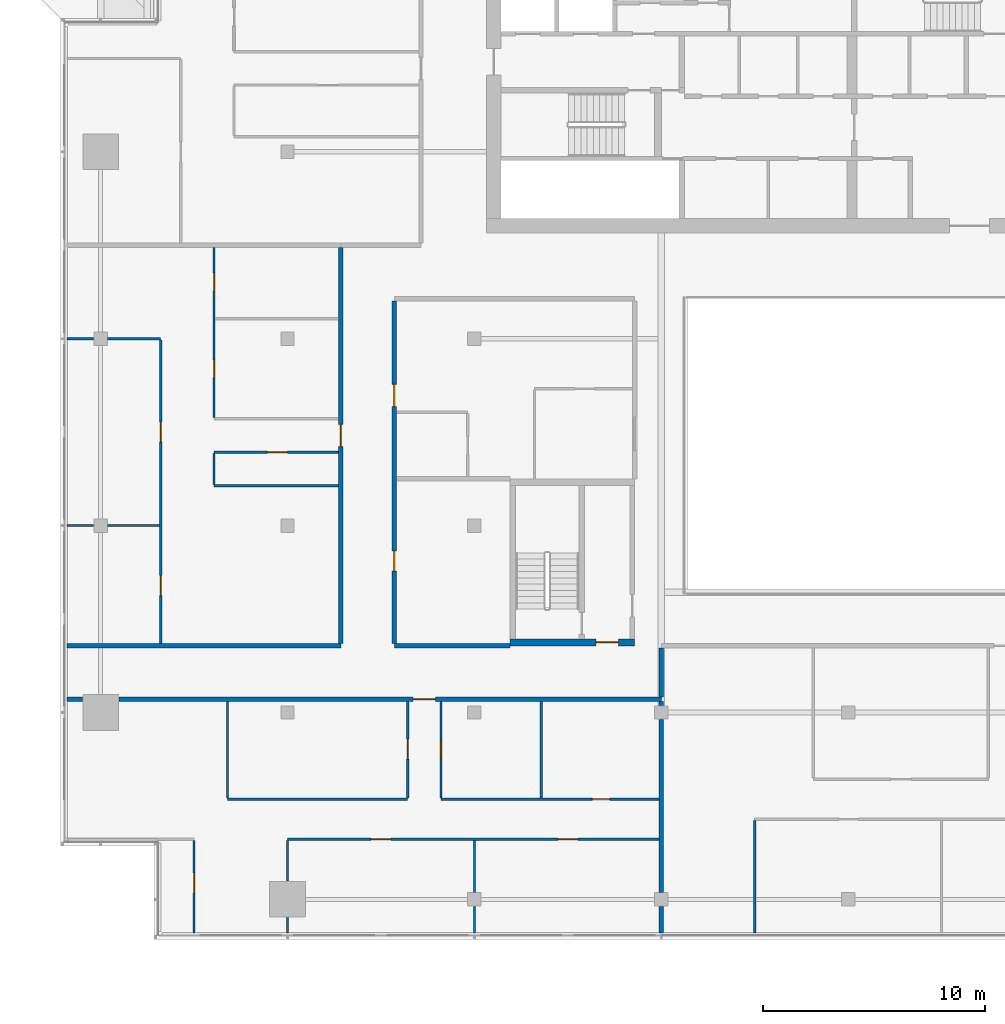
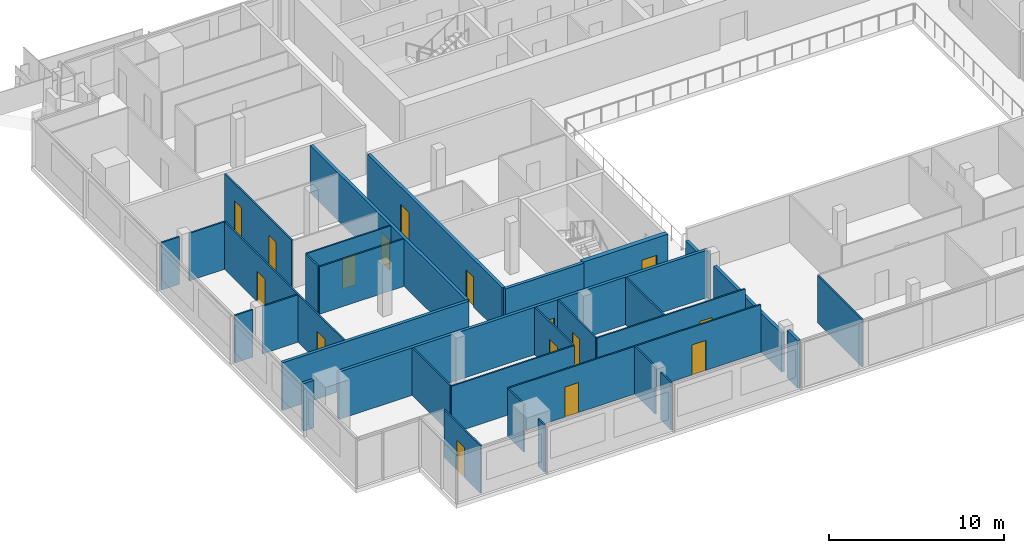
# One storey, part 18 of 30: 33 walls, 16 doors, 16 openings.
"""IFC4 building model written with IfcOpenShell, lengths in metres."""

from ifc_helpers import new_model, si_unit, direction, frame, frame_2d, origin, place, context, subcontext, project, spatial, rectangle, extrude, material, layer, layer_set, type_object, element, fill, save


model = new_model("IFC4")

# Units and contexts
model_context = context("Model", 3, precision=1e-05, world=origin(), true_north=direction((0.0, 1.0)))
body_context = subcontext(model_context, "Body", "Model", "MODEL_VIEW")
ifc_project = project(units=[si_unit("LENGTHUNIT", "METRE"), si_unit("AREAUNIT", "SQUARE_METRE"), si_unit("VOLUMEUNIT", "CUBIC_METRE"), si_unit("PLANEANGLEUNIT", "RADIAN"), si_unit("MASSUNIT", "GRAM", prefix="KILO")], contexts=[model_context])

# Site, building, storey
site_placement = place(None, origin())
site = spatial("IfcSite", under=ifc_project, at=site_placement, CompositionType="ELEMENT")
building_placement = place(site_placement, origin())
building = spatial("IfcBuilding", under=site, at=building_placement, Name="Saffron Gate Tower", CompositionType="ELEMENT")
storey_placement = place(building_placement, frame((0.0, 0.0, 237.89990234375)))
storey = spatial("IfcBuildingStorey", under=building, at=storey_placement, Name="L58", CompositionType="ELEMENT", Elevation=237.89990234375)

# Wall, opening, door
ifc_material_1 = material(Name="Concrete C60", Category="concrete")
ifc_layer_1 = layer(ifc_material_1, 0.300048828125)
ifc_layer_set_1 = layer_set([ifc_layer_1], Name="CW17 RC core wall 300 C60")
wall_type_1 = type_object("IfcWallType", Name="CW17 RC core wall 300 C60", PredefinedType="SOLIDWALL", material=ifc_layer_set_1)
wall_1_placement = place(storey_placement, frame((68.199951171875, 43.35009765625, 0.0), z_axis=(0.0, 0.0, 1.0), x_axis=(1.0, 0.0, 0.0)))
wall_1 = element("IfcWall", 1, at=wall_1_placement, inside=storey, type_object=wall_type_1, Name="Wall CW17-L58-D-1", PredefinedType="SOLIDWALL", context=body_context, shape_type="SweptSolid", body=[
    extrude(rectangle(XDim=5.60009765625, YDim=0.300048828125, at=frame_2d((2.800048828125, 0.0))), origin(), (0.0, 0.0, 1.0), 3.320068359375),
])
opening_1_placement = place(wall_1_placement, frame((3.875, 0.0, 0.0)))
opening_1 = element("IfcOpeningElement", 2, at=opening_1_placement, cuts=wall_1, Name="Opening CR-18", PredefinedType="OPENING", context=body_context, shape_type="SweptSolid", body=[
    extrude(rectangle(XDim=1.0, YDim=2.10009765625, at=frame_2d((0.5, 1.050048828125))), frame((0.0, 0.16015625, 0.0), z_axis=(0.0, -1.0, 0.0), x_axis=(1.0, 0.0, 0.0)), (0.0, 0.0, 1.0), 0.320068359375),
])
ifc_material_2 = material(Name="Steel fire door set", Category="steel")
door_type_1 = type_object("IfcDoorType", Name="CD4 Lobby door 1000x2100 EI 120", OperationType="NOTDEFINED", PredefinedType="DOOR", material=ifc_material_2)
door_1_placement = place(opening_1_placement, origin())
door_1 = element("IfcDoor", 3, at=door_1_placement, inside=storey, type_object=door_type_1, Name="DOOR CR-18", OperationType="SINGLE_SWING_RIGHT", OverallHeight=2.10009765625, OverallWidth=1.0, PredefinedType="DOOR", context=body_context, shape_type="SweptSolid", body=[
    extrude(rectangle(XDim=1.0, YDim=2.10009765625, at=frame_2d((0.5, 1.050048828125))), frame((0.0, 0.02490234375, 0.0), z_axis=(0.0, -1.0, 0.0), x_axis=(1.0, 0.0, 0.0)), (0.0, 0.0, 1.0), 0.050048828125),
])
fill(opening_1, door_1)

# Wall, openings, doors
ifc_material_3 = material(Name="Plasterboard on steel studs", Category="steel")
ifc_layer_2 = layer(ifc_material_3, 0.10009765625)
ifc_layer_set_2 = layer_set([ifc_layer_2], Name="PW1 Partition 100")
wall_type_2 = type_object("IfcWallType", Name="PW1 Partition 100", PredefinedType="PARTITIONING", material=ifc_layer_set_2)
wall_2_placement = place(storey_placement, frame((74.89990234375, 34.5, 0.0), z_axis=(0.0, 0.0, 1.0), x_axis=(-1.0, 0.0, 0.0)))
wall_2 = element("IfcWall", 4, at=wall_2_placement, inside=storey, type_object=wall_type_2, Name="Partition D4-2", PredefinedType="PARTITIONING", context=body_context, shape_type="SweptSolid", body=[
    extrude(rectangle(XDim=16.699951171875, YDim=0.10009765625, at=frame_2d((8.35009765625, 0.0))), origin(), (0.0, 0.0, 1.0), 3.320068359375),
])
opening_2_placement = place(wall_2_placement, frame((3.64990234375, 0.0, 0.0)))
opening_2 = element("IfcOpeningElement", 5, at=opening_2_placement, cuts=wall_2, Name="Opening D4-12", PredefinedType="OPENING", context=body_context, shape_type="SweptSolid", body=[
    extrude(rectangle(XDim=0.89990234375, YDim=2.10009765625, at=frame_2d((0.449951171875, 1.050048828125))), frame((0.0, 0.06005859375, 0.0), z_axis=(0.0, -1.0, 0.0), x_axis=(1.0, 0.0, 0.0)), (0.0, 0.0, 1.0), 0.1201171875),
])
opening_3_placement = place(wall_2_placement, frame((12.050048828125, 0.0, 0.0)))
opening_3 = element("IfcOpeningElement", 6, at=opening_3_placement, cuts=wall_2, Name="Opening D4-11", PredefinedType="OPENING", context=body_context, shape_type="SweptSolid", body=[
    extrude(rectangle(XDim=0.89990234375, YDim=2.10009765625, at=frame_2d((0.449951171875, 1.050048828125))), frame((0.0, 0.06005859375, 0.0), z_axis=(0.0, -1.0, 0.0), x_axis=(1.0, 0.0, 0.0)), (0.0, 0.0, 1.0), 0.1201171875),
])
ifc_material_4 = material(Name="Timber door set", Category="wood")
door_type_2 = type_object("IfcDoorType", Name="RD1 Room door 900x2100", OperationType="NOTDEFINED", PredefinedType="DOOR", material=ifc_material_4)
door_2_placement = place(opening_2_placement, origin())
door_2 = element("IfcDoor", 7, at=door_2_placement, inside=storey, type_object=door_type_2, Name="Door D4-12", OperationType="SINGLE_SWING_LEFT", OverallHeight=2.10009765625, OverallWidth=0.89990234375, PredefinedType="DOOR", context=body_context, shape_type="SweptSolid", body=[
    extrude(rectangle(XDim=0.89990234375, YDim=2.10009765625, at=frame_2d((0.449951171875, 1.050048828125))), frame((0.0, 0.02490234375, 0.0), z_axis=(0.0, -1.0, 0.0), x_axis=(1.0, 0.0, 0.0)), (0.0, 0.0, 1.0), 0.050048828125),
])
fill(opening_2, door_2)
door_3_placement = place(opening_3_placement, origin())
door_3 = element("IfcDoor", 8, at=door_3_placement, inside=storey, type_object=door_type_2, Name="Door D4-11", OperationType="SINGLE_SWING_RIGHT", OverallHeight=2.10009765625, OverallWidth=0.89990234375, PredefinedType="DOOR", context=body_context, shape_type="SweptSolid", body=[
    extrude(rectangle(XDim=0.89990234375, YDim=2.10009765625, at=frame_2d((0.449951171875, 1.050048828125))), frame((0.0, 0.02490234375, 0.0), z_axis=(0.0, -1.0, 0.0), x_axis=(1.0, 0.0, 0.0)), (0.0, 0.0, 1.0), 0.050048828125),
])
fill(opening_3, door_3)

# Wall
wall_3_placement = place(storey_placement, frame((55.5, 36.300048828125, 0.0), z_axis=(0.0, 0.0, 1.0), x_axis=(1.0, 0.0, 0.0)))
element("IfcWall", 9, at=wall_3_placement, inside=storey, type_object=wall_type_2, Name="Partition D4-4", PredefinedType="PARTITIONING", context=body_context, shape_type="SweptSolid", body=[
    extrude(rectangle(XDim=8.10009765625, YDim=0.10009765625, at=frame_2d((4.050048828125, 0.0))), origin(), (0.0, 0.0, 1.0), 3.320068359375),
])

# Wall, opening, door
wall_4_placement = place(storey_placement, frame((65.10009765625, 36.300048828125, 0.0), z_axis=(0.0, 0.0, 1.0), x_axis=(1.0, 0.0, 0.0)))
wall_4 = element("IfcWall", 10, at=wall_4_placement, inside=storey, type_object=wall_type_2, Name="Partition D4-5", PredefinedType="PARTITIONING", context=body_context, shape_type="SweptSolid", body=[
    extrude(rectangle(XDim=9.7998046875, YDim=0.10009765625, at=frame_2d((4.89990234375, 0.0))), origin(), (0.0, 0.0, 1.0), 3.320068359375),
])
opening_4_placement = place(wall_4_placement, frame((6.800048828125, 0.0, 0.0)))
opening_4 = element("IfcOpeningElement", 11, at=opening_4_placement, cuts=wall_4, Name="Opening D4-38", PredefinedType="OPENING", context=body_context, shape_type="SweptSolid", body=[
    extrude(rectangle(XDim=0.800048828125, YDim=2.10009765625, at=frame_2d((0.39990234375, 1.050048828125))), frame((0.0, 0.06005859375, 0.0), z_axis=(0.0, -1.0, 0.0), x_axis=(1.0, 0.0, 0.0)), (0.0, 0.0, 1.0), 0.1201171875),
])
door_type_3 = type_object("IfcDoorType", Name="RD2 Bathroom door 800x2100", OperationType="NOTDEFINED", PredefinedType="DOOR", material=ifc_material_4)
door_4_placement = place(opening_4_placement, origin())
door_4 = element("IfcDoor", 12, at=door_4_placement, inside=storey, type_object=door_type_3, Name="Door D4-38", OperationType="SINGLE_SWING_RIGHT", OverallHeight=2.10009765625, OverallWidth=0.800048828125, PredefinedType="DOOR", context=body_context, shape_type="SweptSolid", body=[
    extrude(rectangle(XDim=0.800048828125, YDim=2.10009765625, at=frame_2d((0.39990234375, 1.050048828125))), frame((0.0, 0.02490234375, 0.0), z_axis=(0.0, -1.0, 0.0), x_axis=(1.0, 0.0, 0.0)), (0.0, 0.0, 1.0), 0.050048828125),
])
fill(opening_4, door_4)

# Walls
wall_5_placement = place(storey_placement, frame((48.280029296875, 48.60009765625, 0.0), z_axis=(0.0, 0.0, 1.0), x_axis=(1.0, 0.0, 0.0)))
element("IfcWall", 13, at=wall_5_placement, inside=storey, type_object=wall_type_2, Name="Partition D4-24", PredefinedType="PARTITIONING", context=body_context, shape_type="SweptSolid", body=[
    extrude(rectangle(XDim=1.199951171875, YDim=0.10009765625, at=frame_2d((0.60009765625, 0.0))), origin(), (0.0, 0.0, 1.0), 3.320068359375),
])
wall_6_placement = place(storey_placement, frame((50.1201171875, 48.60009765625, 0.0), z_axis=(0.0, 0.0, 1.0), x_axis=(1.0, 0.0, 0.0)))
element("IfcWall", 14, at=wall_6_placement, inside=storey, type_object=wall_type_2, Name="Partition D4-25", PredefinedType="PARTITIONING", context=body_context, shape_type="SweptSolid", body=[
    extrude(rectangle(XDim=2.329833984375, YDim=0.10009765625, at=frame_2d((1.1650390625, 0.0))), origin(), (0.0, 0.0, 1.0), 3.320068359375),
])
wall_7_placement = place(storey_placement, frame((54.89990234375, 50.39306640625, 0.0), z_axis=(0.0, 0.0, 1.0), x_axis=(1.0, 0.0, 0.0)))
element("IfcWall", 15, at=wall_7_placement, inside=storey, type_object=wall_type_2, Name="Partition D4-28", PredefinedType="PARTITIONING", context=body_context, shape_type="SweptSolid", body=[
    extrude(rectangle(XDim=5.60009765625, YDim=0.10009765625, at=frame_2d((2.800048828125, 0.0))), origin(), (0.0, 0.0, 1.0), 3.320068359375),
])

# Wall, opening, door
wall_8_placement = place(storey_placement, frame((60.5, 51.89990234375, 0.0), z_axis=(0.0, 0.0, 1.0), x_axis=(-1.0, 0.0, 0.0)))
wall_8 = element("IfcWall", 16, at=wall_8_placement, inside=storey, type_object=wall_type_2, Name="Partition D4-31", PredefinedType="PARTITIONING", context=body_context, shape_type="SweptSolid", body=[
    extrude(rectangle(XDim=5.60009765625, YDim=0.10009765625, at=frame_2d((2.800048828125, 0.0))), origin(), (0.0, 0.0, 1.0), 3.320068359375),
])
opening_5_placement = place(wall_8_placement, frame((2.300048828125, 0.0, 0.0)))
opening_5 = element("IfcOpeningElement", 17, at=opening_5_placement, cuts=wall_8, Name="Opening D4-25", PredefinedType="OPENING", context=body_context, shape_type="SweptSolid", body=[
    extrude(rectangle(XDim=0.89990234375, YDim=2.10009765625, at=frame_2d((0.449951171875, 1.050048828125))), frame((0.0, 0.06005859375, 0.0), z_axis=(0.0, -1.0, 0.0), x_axis=(1.0, 0.0, 0.0)), (0.0, 0.0, 1.0), 0.1201171875),
])
door_5_placement = place(opening_5_placement, origin())
door_5 = element("IfcDoor", 18, at=door_5_placement, inside=storey, type_object=door_type_2, Name="Door D4-25", OperationType="SINGLE_SWING_LEFT", OverallHeight=2.10009765625, OverallWidth=0.89990234375, PredefinedType="DOOR", context=body_context, shape_type="SweptSolid", body=[
    extrude(rectangle(XDim=0.89990234375, YDim=2.10009765625, at=frame_2d((0.449951171875, 1.050048828125))), frame((0.0, 0.02490234375, 0.0), z_axis=(0.0, -1.0, 0.0), x_axis=(1.0, 0.0, 0.0)), (0.0, 0.0, 1.0), 0.050048828125),
])
fill(opening_5, door_5)

# Walls
wall_9_placement = place(storey_placement, frame((48.280029296875, 57.0, 0.0), z_axis=(0.0, 0.0, 1.0), x_axis=(1.0, 0.0, 0.0)))
element("IfcWall", 19, at=wall_9_placement, inside=storey, type_object=wall_type_2, Name="Partition D4-38", PredefinedType="PARTITIONING", context=body_context, shape_type="SweptSolid", body=[
    extrude(rectangle(XDim=1.199951171875, YDim=0.10009765625, at=frame_2d((0.60009765625, 0.0))), origin(), (0.0, 0.0, 1.0), 3.320068359375),
])
wall_10_placement = place(storey_placement, frame((50.1201171875, 57.0, 0.0), z_axis=(0.0, 0.0, 1.0), x_axis=(1.0, 0.0, 0.0)))
element("IfcWall", 20, at=wall_10_placement, inside=storey, type_object=wall_type_2, Name="Partition D4-39", PredefinedType="PARTITIONING", context=body_context, shape_type="SweptSolid", body=[
    extrude(rectangle(XDim=2.3798828125, YDim=0.10009765625, at=frame_2d((1.18994140625, 0.0))), origin(), (0.0, 0.0, 1.0), 3.320068359375),
])

# Wall, openings, doors
wall_11_placement = place(storey_placement, frame((52.5, 43.300048828125, 0.0), z_axis=(0.0, 0.0, 1.0), x_axis=(0.0, 1.0, 0.0)))
wall_11 = element("IfcWall", 21, at=wall_11_placement, inside=storey, type_object=wall_type_2, Name="Partition D4-59", PredefinedType="PARTITIONING", context=body_context, shape_type="SweptSolid", body=[
    extrude(rectangle(XDim=13.64990234375, YDim=0.10009765625, at=frame_2d((6.824951171875, 0.0))), origin(), (0.0, 0.0, 1.0), 3.320068359375),
])
opening_6_placement = place(wall_11_placement, frame((2.14990234375, 0.0, 0.0)))
opening_6 = element("IfcOpeningElement", 22, at=opening_6_placement, cuts=wall_11, Name="Opening D4-23", PredefinedType="OPENING", context=body_context, shape_type="SweptSolid", body=[
    extrude(rectangle(XDim=0.89990234375, YDim=2.10009765625, at=frame_2d((0.449951171875, 1.050048828125))), frame((0.0, 0.06005859375, 0.0), z_axis=(0.0, -1.0, 0.0), x_axis=(1.0, 0.0, 0.0)), (0.0, 0.0, 1.0), 0.1201171875),
])
opening_7_placement = place(wall_11_placement, frame((9.050048828125, 0.0, 0.0)))
opening_7 = element("IfcOpeningElement", 23, at=opening_7_placement, cuts=wall_11, Name="Opening D4-24", PredefinedType="OPENING", context=body_context, shape_type="SweptSolid", body=[
    extrude(rectangle(XDim=0.89990234375, YDim=2.10009765625, at=frame_2d((0.449951171875, 1.050048828125))), frame((0.0, 0.06005859375, 0.0), z_axis=(0.0, -1.0, 0.0), x_axis=(1.0, 0.0, 0.0)), (0.0, 0.0, 1.0), 0.1201171875),
])
door_6_placement = place(opening_6_placement, origin())
door_6 = element("IfcDoor", 24, at=door_6_placement, inside=storey, type_object=door_type_2, Name="Door D4-23", OperationType="SINGLE_SWING_LEFT", OverallHeight=2.10009765625, OverallWidth=0.89990234375, PredefinedType="DOOR", context=body_context, shape_type="SweptSolid", body=[
    extrude(rectangle(XDim=0.89990234375, YDim=2.10009765625, at=frame_2d((0.449951171875, 1.050048828125))), frame((0.0, 0.02490234375, 0.0), z_axis=(0.0, -1.0, 0.0), x_axis=(1.0, 0.0, 0.0)), (0.0, 0.0, 1.0), 0.050048828125),
])
fill(opening_6, door_6)
door_7_placement = place(opening_7_placement, origin())
door_7 = element("IfcDoor", 25, at=door_7_placement, inside=storey, type_object=door_type_2, Name="Door D4-24", OperationType="SINGLE_SWING_RIGHT", OverallHeight=2.10009765625, OverallWidth=0.89990234375, PredefinedType="DOOR", context=body_context, shape_type="SweptSolid", body=[
    extrude(rectangle(XDim=0.89990234375, YDim=2.10009765625, at=frame_2d((0.449951171875, 1.050048828125))), frame((0.0, 0.02490234375, 0.0), z_axis=(0.0, -1.0, 0.0), x_axis=(1.0, 0.0, 0.0)), (0.0, 0.0, 1.0), 0.050048828125),
])
fill(opening_7, door_7)

# Wall, opening, door
wall_12_placement = place(storey_placement, frame((54.0, 30.280029296875, 0.0), z_axis=(0.0, 0.0, 1.0), x_axis=(0.0, 1.0, 0.0)))
wall_12 = element("IfcWall", 26, at=wall_12_placement, inside=storey, type_object=wall_type_2, Name="Partition D4-61", PredefinedType="PARTITIONING", context=body_context, shape_type="SweptSolid", body=[
    extrude(rectangle(XDim=4.169921875, YDim=0.10009765625, at=frame_2d((2.0849609375, 0.0))), origin(), (0.0, 0.0, 1.0), 3.320068359375),
])
opening_8_placement = place(wall_12_placement, frame((1.802734375, 0.0, 0.0)))
opening_8 = element("IfcOpeningElement", 27, at=opening_8_placement, cuts=wall_12, Name="Opening D4-10", PredefinedType="OPENING", context=body_context, shape_type="SweptSolid", body=[
    extrude(rectangle(XDim=0.89990234375, YDim=2.10009765625, at=frame_2d((0.449951171875, 1.050048828125))), frame((0.0, 0.06005859375, 0.0), z_axis=(0.0, -1.0, 0.0), x_axis=(1.0, 0.0, 0.0)), (0.0, 0.0, 1.0), 0.1201171875),
])
door_8_placement = place(opening_8_placement, origin())
door_8 = element("IfcDoor", 28, at=door_8_placement, inside=storey, type_object=door_type_2, Name="Door D4-10", OperationType="SINGLE_SWING_RIGHT", OverallHeight=2.10009765625, OverallWidth=0.89990234375, PredefinedType="DOOR", context=body_context, shape_type="SweptSolid", body=[
    extrude(rectangle(XDim=0.89990234375, YDim=2.10009765625, at=frame_2d((0.449951171875, 1.050048828125))), frame((0.0, 0.02490234375, 0.0), z_axis=(0.0, -1.0, 0.0), x_axis=(1.0, 0.0, 0.0)), (0.0, 0.0, 1.0), 0.050048828125),
])
fill(opening_8, door_8)

# Wall
wall_13_placement = place(storey_placement, frame((54.89990234375, 51.85009765625, 0.0), z_axis=(0.0, 0.0, 1.0), x_axis=(0.0, -1.0, 0.0)))
element("IfcWall", 29, at=wall_13_placement, inside=storey, type_object=wall_type_2, Name="Partition D4-62", PredefinedType="PARTITIONING", context=body_context, shape_type="SweptSolid", body=[
    extrude(rectangle(XDim=1.406982421875, YDim=0.10009765625, at=frame_2d((0.70361328125, 0.0))), origin(), (0.0, 0.0, 1.0), 3.320068359375),
])

# Wall, openings, doors
wall_14_placement = place(storey_placement, frame((54.89990234375, 61.10009765625, 0.0), z_axis=(0.0, 0.0, 1.0), x_axis=(0.0, -1.0, 0.0)))
wall_14 = element("IfcWall", 30, at=wall_14_placement, inside=storey, type_object=wall_type_2, Name="Partition D4-63", PredefinedType="PARTITIONING", context=body_context, shape_type="SweptSolid", body=[
    extrude(rectangle(XDim=7.650146484375, YDim=0.10009765625, at=frame_2d((3.8251953125, 0.0))), origin(), (0.0, 0.0, 1.0), 3.320068359375),
])
opening_9_placement = place(wall_14_placement, frame((1.14990234375, 0.0, 0.0)))
opening_9 = element("IfcOpeningElement", 31, at=opening_9_placement, cuts=wall_14, Name="Opening D4-44", PredefinedType="OPENING", context=body_context, shape_type="SweptSolid", body=[
    extrude(rectangle(XDim=0.800048828125, YDim=2.10009765625, at=frame_2d((0.39990234375, 1.050048828125))), frame((0.0, 0.06005859375, 0.0), z_axis=(0.0, -1.0, 0.0), x_axis=(1.0, 0.0, 0.0)), (0.0, 0.0, 1.0), 0.1201171875),
])
opening_10_placement = place(wall_14_placement, frame((5.050048828125, 0.0, 0.0)))
opening_10 = element("IfcOpeningElement", 32, at=opening_10_placement, cuts=wall_14, Name="Opening D4-43", PredefinedType="OPENING", context=body_context, shape_type="SweptSolid", body=[
    extrude(rectangle(XDim=0.800048828125, YDim=2.10009765625, at=frame_2d((0.39990234375, 1.050048828125))), frame((0.0, 0.06005859375, 0.0), z_axis=(0.0, -1.0, 0.0), x_axis=(1.0, 0.0, 0.0)), (0.0, 0.0, 1.0), 0.1201171875),
])
door_9_placement = place(opening_9_placement, origin())
door_9 = element("IfcDoor", 33, at=door_9_placement, inside=storey, type_object=door_type_3, Name="Door D4-44", OperationType="SINGLE_SWING_LEFT", OverallHeight=2.10009765625, OverallWidth=0.800048828125, PredefinedType="DOOR", context=body_context, shape_type="SweptSolid", body=[
    extrude(rectangle(XDim=0.800048828125, YDim=2.10009765625, at=frame_2d((0.39990234375, 1.050048828125))), frame((0.0, 0.02490234375, 0.0), z_axis=(0.0, -1.0, 0.0), x_axis=(1.0, 0.0, 0.0)), (0.0, 0.0, 1.0), 0.050048828125),
])
fill(opening_9, door_9)
door_10_placement = place(opening_10_placement, origin())
door_10 = element("IfcDoor", 34, at=door_10_placement, inside=storey, type_object=door_type_3, Name="Door D4-43", OperationType="SINGLE_SWING_RIGHT", OverallHeight=2.10009765625, OverallWidth=0.800048828125, PredefinedType="DOOR", context=body_context, shape_type="SweptSolid", body=[
    extrude(rectangle(XDim=0.800048828125, YDim=2.10009765625, at=frame_2d((0.39990234375, 1.050048828125))), frame((0.0, 0.02490234375, 0.0), z_axis=(0.0, -1.0, 0.0), x_axis=(1.0, 0.0, 0.0)), (0.0, 0.0, 1.0), 0.050048828125),
])
fill(opening_10, door_10)

# Walls
wall_15_placement = place(storey_placement, frame((55.5, 40.699951171875, 0.0), z_axis=(0.0, 0.0, 1.0), x_axis=(0.0, -1.0, 0.0)))
element("IfcWall", 35, at=wall_15_placement, inside=storey, type_object=wall_type_2, Name="Partition D4-64", PredefinedType="PARTITIONING", context=body_context, shape_type="SweptSolid", body=[
    extrude(rectangle(XDim=4.349853515625, YDim=0.10009765625, at=frame_2d((2.1748046875, 0.0))), origin(), (0.0, 0.0, 1.0), 3.320068359375),
])
wall_16_placement = place(storey_placement, frame((58.199951171875, 30.97998046875, 0.0), z_axis=(0.0, 0.0, 1.0), x_axis=(0.0, -1.0, 0.0)))
element("IfcWall", 36, at=wall_16_placement, inside=storey, type_object=wall_type_2, Name="Partition D4-67", PredefinedType="PARTITIONING", context=body_context, shape_type="SweptSolid", body=[
    extrude(rectangle(XDim=0.699951171875, YDim=0.10009765625, at=frame_2d((0.35009765625, 0.0))), origin(), (0.0, 0.0, 1.0), 3.320068359375),
])
wall_17_placement = place(storey_placement, frame((58.199951171875, 34.449951171875, 0.0), z_axis=(0.0, 0.0, 1.0), x_axis=(0.0, -1.0, 0.0)))
element("IfcWall", 37, at=wall_17_placement, inside=storey, type_object=wall_type_2, Name="Partition D4-68", PredefinedType="PARTITIONING", context=body_context, shape_type="SweptSolid", body=[
    extrude(rectangle(XDim=1.829833984375, YDim=0.10009765625, at=frame_2d((0.9150390625, 0.0))), origin(), (0.0, 0.0, 1.0), 3.320068359375),
])

# Wall, opening, door
wall_18_placement = place(storey_placement, frame((63.60009765625, 36.35009765625, 0.0), z_axis=(0.0, 0.0, 1.0), x_axis=(0.0, 1.0, 0.0)))
wall_18 = element("IfcWall", 38, at=wall_18_placement, inside=storey, type_object=wall_type_2, Name="Partition D4-71", PredefinedType="PARTITIONING", context=body_context, shape_type="SweptSolid", body=[
    extrude(rectangle(XDim=4.349853515625, YDim=0.10009765625, at=frame_2d((2.1748046875, 0.0))), origin(), (0.0, 0.0, 1.0), 3.320068359375),
])
opening_11_placement = place(wall_18_placement, frame((1.75, 0.0, 0.0)))
opening_11 = element("IfcOpeningElement", 39, at=opening_11_placement, cuts=wall_18, Name="Opening D4-13", PredefinedType="OPENING", context=body_context, shape_type="SweptSolid", body=[
    extrude(rectangle(XDim=0.89990234375, YDim=2.10009765625, at=frame_2d((0.449951171875, 1.050048828125))), frame((0.0, 0.06005859375, 0.0), z_axis=(0.0, -1.0, 0.0), x_axis=(1.0, 0.0, 0.0)), (0.0, 0.0, 1.0), 0.1201171875),
])
door_11_placement = place(opening_11_placement, origin())
door_11 = element("IfcDoor", 40, at=door_11_placement, inside=storey, type_object=door_type_2, Name="Door D4-13", OperationType="SINGLE_SWING_RIGHT", OverallHeight=2.10009765625, OverallWidth=0.89990234375, PredefinedType="DOOR", context=body_context, shape_type="SweptSolid", body=[
    extrude(rectangle(XDim=0.89990234375, YDim=2.10009765625, at=frame_2d((0.449951171875, 1.050048828125))), frame((0.0, 0.02490234375, 0.0), z_axis=(0.0, -1.0, 0.0), x_axis=(1.0, 0.0, 0.0)), (0.0, 0.0, 1.0), 0.050048828125),
])
fill(opening_11, door_11)

wall_19_placement = place(storey_placement, frame((65.10009765625, 40.699951171875, 0.0), z_axis=(0.0, 0.0, 1.0), x_axis=(0.0, -1.0, 0.0)))
wall_19 = element("IfcWall", 41, at=wall_19_placement, inside=storey, type_object=wall_type_2, Name="Partition D4-73", PredefinedType="PARTITIONING", context=body_context, shape_type="SweptSolid", body=[
    extrude(rectangle(XDim=4.349853515625, YDim=0.10009765625, at=frame_2d((2.1748046875, 0.0))), origin(), (0.0, 0.0, 1.0), 3.320068359375),
])
opening_12_placement = place(wall_19_placement, frame((1.75, 0.0, 0.0)))
opening_12 = element("IfcOpeningElement", 42, at=opening_12_placement, cuts=wall_19, Name="Opening D4-37", PredefinedType="OPENING", context=body_context, shape_type="SweptSolid", body=[
    extrude(rectangle(XDim=0.800048828125, YDim=2.10009765625, at=frame_2d((0.39990234375, 1.050048828125))), frame((0.0, 0.06005859375, 0.0), z_axis=(0.0, -1.0, 0.0), x_axis=(1.0, 0.0, 0.0)), (0.0, 0.0, 1.0), 0.1201171875),
])
door_12_placement = place(opening_12_placement, origin())
door_12 = element("IfcDoor", 43, at=door_12_placement, inside=storey, type_object=door_type_3, Name="Door D4-37", OperationType="SINGLE_SWING_LEFT", OverallHeight=2.10009765625, OverallWidth=0.800048828125, PredefinedType="DOOR", context=body_context, shape_type="SweptSolid", body=[
    extrude(rectangle(XDim=0.800048828125, YDim=2.10009765625, at=frame_2d((0.39990234375, 1.050048828125))), frame((0.0, 0.02490234375, 0.0), z_axis=(0.0, -1.0, 0.0), x_axis=(1.0, 0.0, 0.0)), (0.0, 0.0, 1.0), 0.050048828125),
])
fill(opening_12, door_12)

# Walls
wall_20_placement = place(storey_placement, frame((66.60009765625, 31.47998046875, 0.0), z_axis=(0.0, 0.0, 1.0), x_axis=(0.0, -1.0, 0.0)))
element("IfcWall", 44, at=wall_20_placement, inside=storey, type_object=wall_type_2, Name="Partition D4-75", PredefinedType="PARTITIONING", context=body_context, shape_type="SweptSolid", body=[
    extrude(rectangle(XDim=1.199951171875, YDim=0.10009765625, at=frame_2d((0.60009765625, 0.0))), origin(), (0.0, 0.0, 1.0), 3.320068359375),
])
wall_21_placement = place(storey_placement, frame((66.60009765625, 34.449951171875, 0.0), z_axis=(0.0, 0.0, 1.0), x_axis=(0.0, -1.0, 0.0)))
element("IfcWall", 45, at=wall_21_placement, inside=storey, type_object=wall_type_2, Name="Partition D4-76", PredefinedType="PARTITIONING", context=body_context, shape_type="SweptSolid", body=[
    extrude(rectangle(XDim=2.329833984375, YDim=0.10009765625, at=frame_2d((1.1650390625, 0.0))), origin(), (0.0, 0.0, 1.0), 3.320068359375),
])
wall_22_placement = place(storey_placement, frame((69.60009765625, 40.699951171875, 0.0), z_axis=(0.0, 0.0, 1.0), x_axis=(0.0, -1.0, 0.0)))
element("IfcWall", 46, at=wall_22_placement, inside=storey, type_object=wall_type_2, Name="Partition D4-78", PredefinedType="PARTITIONING", context=body_context, shape_type="SweptSolid", body=[
    extrude(rectangle(XDim=4.349853515625, YDim=0.10009765625, at=frame_2d((2.1748046875, 0.0))), origin(), (0.0, 0.0, 1.0), 3.320068359375),
])
wall_23_placement = place(storey_placement, frame((79.199951171875, 35.35009765625, 0.0), z_axis=(0.0, 0.0, 1.0), x_axis=(0.0, -1.0, 0.0)))
element("IfcWall", 47, at=wall_23_placement, inside=storey, type_object=wall_type_2, Name="Partition D4-84", PredefinedType="PARTITIONING", context=body_context, shape_type="SweptSolid", body=[
    extrude(rectangle(XDim=5.070068359375, YDim=0.10009765625, at=frame_2d((2.53515625, 0.0))), origin(), (0.0, 0.0, 1.0), 3.320068359375),
])
ifc_material_5 = material(Name="Clay brick masonry, rendered", Category="masonry")
ifc_layer_3 = layer(ifc_material_5, 0.199951171875)
ifc_layer_set_3 = layer_set([ifc_layer_3], Name="PW2 Demising wall 200")
wall_type_3 = type_object("IfcWallType", Name="PW2 Demising wall 200", PredefinedType="PARTITIONING", material=ifc_layer_set_3)
wall_24_placement = place(storey_placement, frame((75.0, 31.47998046875, 0.0), z_axis=(0.0, 0.0, 1.0), x_axis=(0.0, -1.0, 0.0)))
element("IfcWall", 48, at=wall_24_placement, inside=storey, type_object=wall_type_3, Name="Wall D4-81", PredefinedType="PARTITIONING", context=body_context, shape_type="SweptSolid", body=[
    extrude(rectangle(XDim=1.199951171875, YDim=0.199951171875, at=frame_2d((0.60009765625, 0.0))), origin(), (0.0, 0.0, 1.0), 3.320068359375),
])
wall_25_placement = place(storey_placement, frame((75.0, 39.8798828125, 0.0), z_axis=(0.0, 0.0, 1.0), x_axis=(0.0, -1.0, 0.0)))
element("IfcWall", 49, at=wall_25_placement, inside=storey, type_object=wall_type_3, Name="Wall D4-82", PredefinedType="PARTITIONING", context=body_context, shape_type="SweptSolid", body=[
    extrude(rectangle(XDim=7.759765625, YDim=0.199951171875, at=frame_2d((3.8798828125, 0.0))), origin(), (0.0, 0.0, 1.0), 2.72021484375),
])
wall_26_placement = place(storey_placement, frame((75.0, 40.699951171875, 0.0), z_axis=(0.0, 0.0, 1.0), x_axis=(0.0, -1.0, 0.0)))
element("IfcWall", 50, at=wall_26_placement, inside=storey, type_object=wall_type_3, Name="Wall D4-83", PredefinedType="PARTITIONING", context=body_context, shape_type="SweptSolid", body=[
    extrude(rectangle(XDim=0.179931640625, YDim=0.199951171875, at=frame_2d((0.08984375, 0.0))), origin(), (0.0, 0.0, 1.0), 3.320068359375),
])
ifc_layer_4 = layer(ifc_material_5, 0.199951171875)
ifc_layer_set_4 = layer_set([ifc_layer_4], Name="PW3 Corridor wall 200")
wall_type_4 = type_object("IfcWallType", Name="PW3 Corridor wall 200", PredefinedType="PARTITIONING", material=ifc_layer_set_4)
wall_27_placement = place(storey_placement, frame((48.280029296875, 40.800048828125, 0.0), z_axis=(0.0, 0.0, 1.0), x_axis=(1.0, 0.0, 0.0)))
element("IfcWall", 51, at=wall_27_placement, inside=storey, type_object=wall_type_4, Name="Wall D4-12", PredefinedType="PARTITIONING", context=body_context, shape_type="SweptSolid", body=[
    extrude(rectangle(XDim=0.699951171875, YDim=0.199951171875, at=frame_2d((0.35009765625, 0.0))), origin(), (0.0, 0.0, 1.0), 3.320068359375),
])

# Wall, opening, door
wall_28_placement = place(storey_placement, frame((75.0, 40.800048828125, 0.0), z_axis=(0.0, 0.0, 1.0), x_axis=(-1.0, 0.0, 0.0)))
wall_28 = element("IfcWall", 52, at=wall_28_placement, inside=storey, type_object=wall_type_4, Name="Wall D4-13", PredefinedType="PARTITIONING", context=body_context, shape_type="SweptSolid", body=[
    extrude(rectangle(XDim=24.3798828125, YDim=0.199951171875, at=frame_2d((12.18994140625, 0.0))), origin(), (0.0, 0.0, 1.0), 3.320068359375),
])
opening_13_placement = place(wall_28_placement, frame((10.14990234375, 0.0, 0.0)))
opening_13 = element("IfcOpeningElement", 53, at=opening_13_placement, cuts=wall_28, Name="Opening D4-1", PredefinedType="OPENING", context=body_context, shape_type="SweptSolid", body=[
    extrude(rectangle(XDim=1.0, YDim=2.10009765625, at=frame_2d((0.5, 1.050048828125))), frame((0.0, 0.10986328125, 0.0), z_axis=(0.0, -1.0, 0.0), x_axis=(1.0, 0.0, 0.0)), (0.0, 0.0, 1.0), 0.219970703125),
])
ifc_material_6 = material(Name="Timber fire door set", Category="wood")
door_type_4 = type_object("IfcDoorType", Name="FD1 Flat entry door 1000x2100", OperationType="NOTDEFINED", PredefinedType="DOOR", material=ifc_material_6)
door_13_placement = place(opening_13_placement, origin())
door_13 = element("IfcDoor", 54, at=door_13_placement, inside=storey, type_object=door_type_4, Name="Door D4-1", OperationType="SINGLE_SWING_LEFT", OverallHeight=2.10009765625, OverallWidth=1.0, PredefinedType="DOOR", context=body_context, shape_type="SweptSolid", body=[
    extrude(rectangle(XDim=1.0, YDim=2.10009765625, at=frame_2d((0.5, 1.050048828125))), frame((0.0, 0.02490234375, 0.0), z_axis=(0.0, -1.0, 0.0), x_axis=(1.0, 0.0, 0.0)), (0.0, 0.0, 1.0), 0.050048828125),
])
fill(opening_13, door_13)

# Walls
wall_29_placement = place(storey_placement, frame((48.280029296875, 43.199951171875, 0.0), z_axis=(0.0, 0.0, 1.0), x_axis=(1.0, 0.0, 0.0)))
element("IfcWall", 55, at=wall_29_placement, inside=storey, type_object=wall_type_4, Name="Wall D4-16", PredefinedType="PARTITIONING", context=body_context, shape_type="SweptSolid", body=[
    extrude(rectangle(XDim=12.320068359375, YDim=0.199951171875, at=frame_2d((6.16015625, 0.0))), origin(), (0.0, 0.0, 1.0), 3.320068359375),
])
wall_30_placement = place(storey_placement, frame((63.0, 43.199951171875, 0.0), z_axis=(0.0, 0.0, 1.0), x_axis=(1.0, 0.0, 0.0)))
element("IfcWall", 56, at=wall_30_placement, inside=storey, type_object=wall_type_4, Name="Wall D4-17", PredefinedType="PARTITIONING", context=body_context, shape_type="SweptSolid", body=[
    extrude(rectangle(XDim=5.199951171875, YDim=0.199951171875, at=frame_2d((2.60009765625, 0.0))), origin(), (0.0, 0.0, 1.0), 3.320068359375),
])

# Wall, opening, door
wall_31_placement = place(storey_placement, frame((60.60009765625, 43.300048828125, 0.0), z_axis=(0.0, 0.0, 1.0), x_axis=(0.0, 1.0, 0.0)))
wall_31 = element("IfcWall", 57, at=wall_31_placement, inside=storey, type_object=wall_type_4, Name="Wall D4-69", PredefinedType="PARTITIONING", context=body_context, shape_type="SweptSolid", body=[
    extrude(rectangle(XDim=17.800048828125, YDim=0.199951171875, at=frame_2d((8.89990234375, 0.0))), origin(), (0.0, 0.0, 1.0), 3.320068359375),
])
opening_14_placement = place(wall_31_placement, frame((8.85009765625, 0.0, 0.0)))
opening_14 = element("IfcOpeningElement", 58, at=opening_14_placement, cuts=wall_31, Name="Opening D4-4", PredefinedType="OPENING", context=body_context, shape_type="SweptSolid", body=[
    extrude(rectangle(XDim=1.0, YDim=2.10009765625, at=frame_2d((0.5, 1.050048828125))), frame((0.0, 0.10986328125, 0.0), z_axis=(0.0, -1.0, 0.0), x_axis=(1.0, 0.0, 0.0)), (0.0, 0.0, 1.0), 0.219970703125),
])
door_14_placement = place(opening_14_placement, origin())
door_14 = element("IfcDoor", 59, at=door_14_placement, inside=storey, type_object=door_type_4, Name="Door D4-4", OperationType="SINGLE_SWING_RIGHT", OverallHeight=2.10009765625, OverallWidth=1.0, PredefinedType="DOOR", context=body_context, shape_type="SweptSolid", body=[
    extrude(rectangle(XDim=1.0, YDim=2.10009765625, at=frame_2d((0.5, 1.050048828125))), frame((0.0, 0.02490234375, 0.0), z_axis=(0.0, -1.0, 0.0), x_axis=(1.0, 0.0, 0.0)), (0.0, 0.0, 1.0), 0.050048828125),
])
fill(opening_14, door_14)

# Wall, openings, doors
wall_32_placement = place(storey_placement, frame((63.0, 58.699951171875, 0.0), z_axis=(0.0, 0.0, 1.0), x_axis=(0.0, -1.0, 0.0)))
wall_32 = element("IfcWall", 60, at=wall_32_placement, inside=storey, type_object=wall_type_4, Name="Wall D4-70", PredefinedType="PARTITIONING", context=body_context, shape_type="SweptSolid", body=[
    extrude(rectangle(XDim=15.39990234375, YDim=0.199951171875, at=frame_2d((7.699951171875, 0.0))), origin(), (0.0, 0.0, 1.0), 3.320068359375),
])
opening_15_placement = place(wall_32_placement, frame((3.75, 0.0, 0.0)))
opening_15 = element("IfcOpeningElement", 61, at=opening_15_placement, cuts=wall_32, Name="Opening D4-8", PredefinedType="OPENING", context=body_context, shape_type="SweptSolid", body=[
    extrude(rectangle(XDim=1.0, YDim=2.10009765625, at=frame_2d((0.5, 1.050048828125))), frame((0.0, 0.10986328125, 0.0), z_axis=(0.0, -1.0, 0.0), x_axis=(1.0, 0.0, 0.0)), (0.0, 0.0, 1.0), 0.219970703125),
])
opening_16_placement = place(wall_32_placement, frame((11.25, 0.0, 0.0)))
opening_16 = element("IfcOpeningElement", 62, at=opening_16_placement, cuts=wall_32, Name="Opening D4-52", PredefinedType="OPENING", context=body_context, shape_type="SweptSolid", body=[
    extrude(rectangle(XDim=0.89990234375, YDim=2.10009765625, at=frame_2d((0.449951171875, 1.050048828125))), frame((0.0, 0.10986328125, 0.0), z_axis=(0.0, -1.0, 0.0), x_axis=(1.0, 0.0, 0.0)), (0.0, 0.0, 1.0), 0.219970703125),
])
door_15_placement = place(opening_15_placement, origin())
door_15 = element("IfcDoor", 63, at=door_15_placement, inside=storey, type_object=door_type_4, Name="Door D4-8", OperationType="SINGLE_SWING_LEFT", OverallHeight=2.10009765625, OverallWidth=1.0, PredefinedType="DOOR", context=body_context, shape_type="SweptSolid", body=[
    extrude(rectangle(XDim=1.0, YDim=2.10009765625, at=frame_2d((0.5, 1.050048828125))), frame((0.0, 0.02490234375, 0.0), z_axis=(0.0, -1.0, 0.0), x_axis=(1.0, 0.0, 0.0)), (0.0, 0.0, 1.0), 0.050048828125),
])
fill(opening_15, door_15)
door_type_5 = type_object("IfcDoorType", Name="SD1 Service door 900x2100", OperationType="NOTDEFINED", PredefinedType="DOOR", material=ifc_material_2)
door_16_placement = place(opening_16_placement, origin())
door_16 = element("IfcDoor", 64, at=door_16_placement, inside=storey, type_object=door_type_5, Name="Door D4-52", OperationType="SINGLE_SWING_RIGHT", OverallHeight=2.10009765625, OverallWidth=0.89990234375, PredefinedType="DOOR", context=body_context, shape_type="SweptSolid", body=[
    extrude(rectangle(XDim=0.89990234375, YDim=2.10009765625, at=frame_2d((0.449951171875, 1.050048828125))), frame((0.0, 0.02490234375, 0.0), z_axis=(0.0, -1.0, 0.0), x_axis=(1.0, 0.0, 0.0)), (0.0, 0.0, 1.0), 0.050048828125),
])
fill(opening_16, door_16)

# Wall
wall_33_placement = place(storey_placement, frame((75.0, 43.10009765625, 0.0), z_axis=(0.0, 0.0, 1.0), x_axis=(0.0, -1.0, 0.0)))
element("IfcWall", 65, at=wall_33_placement, inside=storey, type_object=wall_type_4, Name="Wall D4-80", PredefinedType="PARTITIONING", context=body_context, shape_type="SweptSolid", body=[
    extrude(rectangle(XDim=2.2001953125, YDim=0.199951171875, at=frame_2d((1.10009765625, 0.0))), origin(), (0.0, 0.0, 1.0), 2.530029296875),
])

save(model, "model.ifc")
